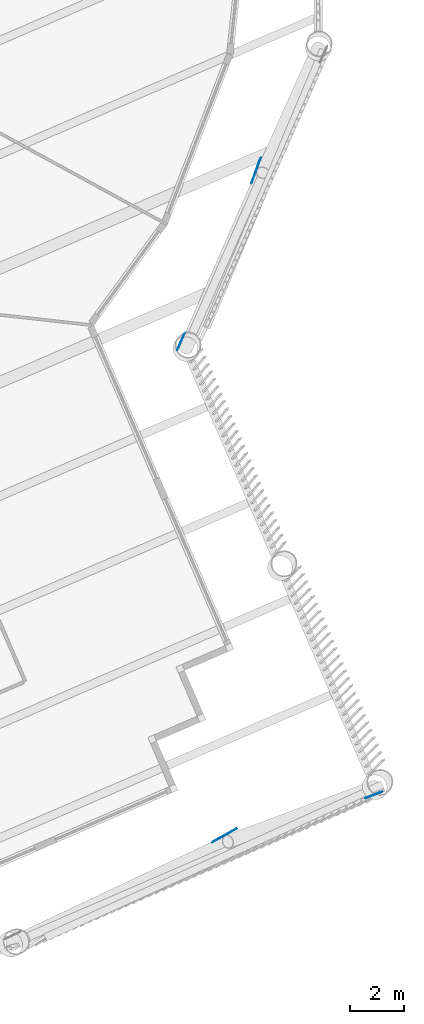
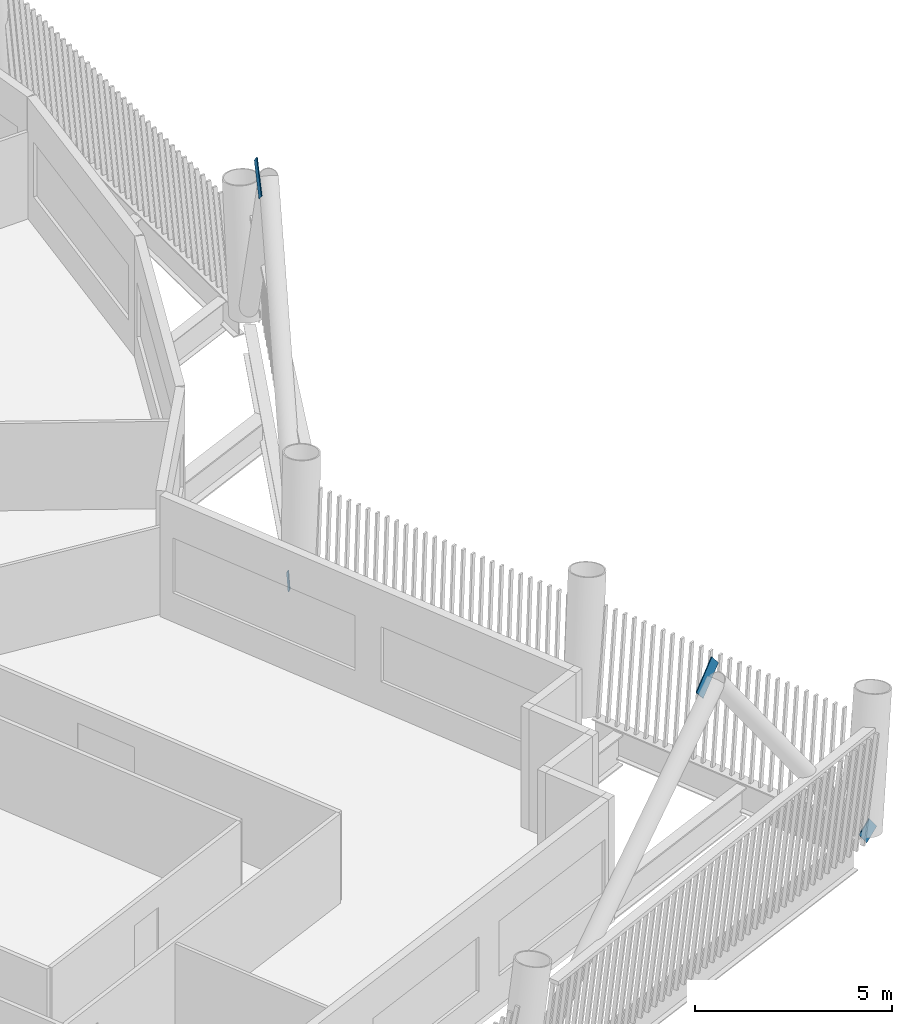
# One storey, part 10 of 23: 4 discrete accessories.
"""IFC4 building model written with IfcOpenShell, lengths in metres."""

from ifc_helpers import new_model, si_unit, direction, frame, origin, origin_2d, place, context, subcontext, project, spatial, rectangle, extrude, material, material_profile, profile_set, type_object, element, save


model = new_model("IFC4")

# Units and contexts
model_context = context("Model", 3, precision=1e-05, world=origin(), true_north=direction((0.0, 1.0)))
body_context = subcontext(model_context, "Body", "Model", "MODEL_VIEW")
ifc_project = project(units=[si_unit("LENGTHUNIT", "METRE"), si_unit("AREAUNIT", "SQUARE_METRE"), si_unit("VOLUMEUNIT", "CUBIC_METRE"), si_unit("PLANEANGLEUNIT", "RADIAN"), si_unit("MASSUNIT", "GRAM", prefix="KILO")], contexts=[model_context])

# Site, building, storey
site_placement = place(None, origin())
site = spatial("IfcSite", under=ifc_project, at=site_placement, CompositionType="ELEMENT")
building_placement = place(site_placement, origin())
building = spatial("IfcBuilding", under=site, at=building_placement, Name="Tarsis Ring Headquarters", CompositionType="ELEMENT")
storey_placement = place(building_placement, frame((0.0, 0.0, 323.60009765625)))
storey = spatial("IfcBuildingStorey", under=building, at=storey_placement, Name="L76", CompositionType="ELEMENT", Elevation=323.60009765625)

# Discrete accessories
ifc_material = material(Name="Structural steel S355", Category="steel")
ifc_material_profile = material_profile(ifc_material, rectangle(XDim=0.02490234375, YDim=0.5, at=origin_2d()), Name="PL 25x500")
ifc_profile_set = profile_set([ifc_material_profile], Name="Structural steel S355")
discrete_accessory_type = type_object("IfcDiscreteAccessoryType", Name="Gusset plate Exo brace 25", PredefinedType="BRACKET", material=ifc_profile_set)
discrete_accessory_1_placement = place(storey_placement, frame((24.608642578125, -35.42138671875, 7.4716796875), z_axis=(0.659386354266, 0.366434253148, 0.656456833255), x_axis=(-0.485752835842, 0.874096208933, 0.0)))
element("IfcDiscreteAccessory", 1, at=discrete_accessory_1_placement, inside=storey, type_object=discrete_accessory_type, Name="Gusset plate GP5", PredefinedType="BRACKET", context=body_context, shape_type="SweptSolid", body=[
    extrude(rectangle(XDim=0.02490234375, YDim=0.5, at=origin_2d()), origin(), (0.0, 0.0, 1.0), 1.0),
])
discrete_accessory_2_placement = place(storey_placement, frame((30.650634765625, -33.673095703125, 0.0), z_axis=(-0.563003449499, -0.209966594349, 0.799337941743), x_axis=(0.349430817159, -0.93696216787, 0.0)))
element("IfcDiscreteAccessory", 2, at=discrete_accessory_2_placement, inside=storey, type_object=discrete_accessory_type, Name="Gusset plate GP5", PredefinedType="BRACKET", context=body_context, shape_type="SweptSolid", body=[
    extrude(rectangle(XDim=0.02490234375, YDim=0.5, at=origin_2d()), origin(), (0.0, 0.0, 1.0), 0.5),
])
discrete_accessory_3_placement = place(storey_placement, frame((23.253662109375, -16.97119140625, 0.0), z_axis=(0.27157497329, 0.618858797048, 0.737062292617), x_axis=(-0.915708902463, 0.401842265011, 0.0)))
element("IfcDiscreteAccessory", 3, at=discrete_accessory_3_placement, inside=storey, type_object=discrete_accessory_type, Name="Gusset plate GP5", PredefinedType="BRACKET", context=body_context, shape_type="SweptSolid", body=[
    extrude(rectangle(XDim=0.02490234375, YDim=0.5, at=origin_2d()), origin(), (0.0, 0.0, 1.0), 0.499755859375),
])
discrete_accessory_4_placement = place(storey_placement, frame((26.007080078125, -10.753662109375, 7.431396484375), z_axis=(0.229250219521, 0.635748212602, 0.737067532199), x_axis=(-0.94070767555, 0.339218320792, 0.0)))
element("IfcDiscreteAccessory", 4, at=discrete_accessory_4_placement, inside=storey, type_object=discrete_accessory_type, Name="Gusset plate GP5", PredefinedType="BRACKET", context=body_context, shape_type="SweptSolid", body=[
    extrude(rectangle(XDim=0.02490234375, YDim=0.5, at=origin_2d()), origin(), (0.0, 0.0, 1.0), 1.0),
])

save(model, "model.ifc")
